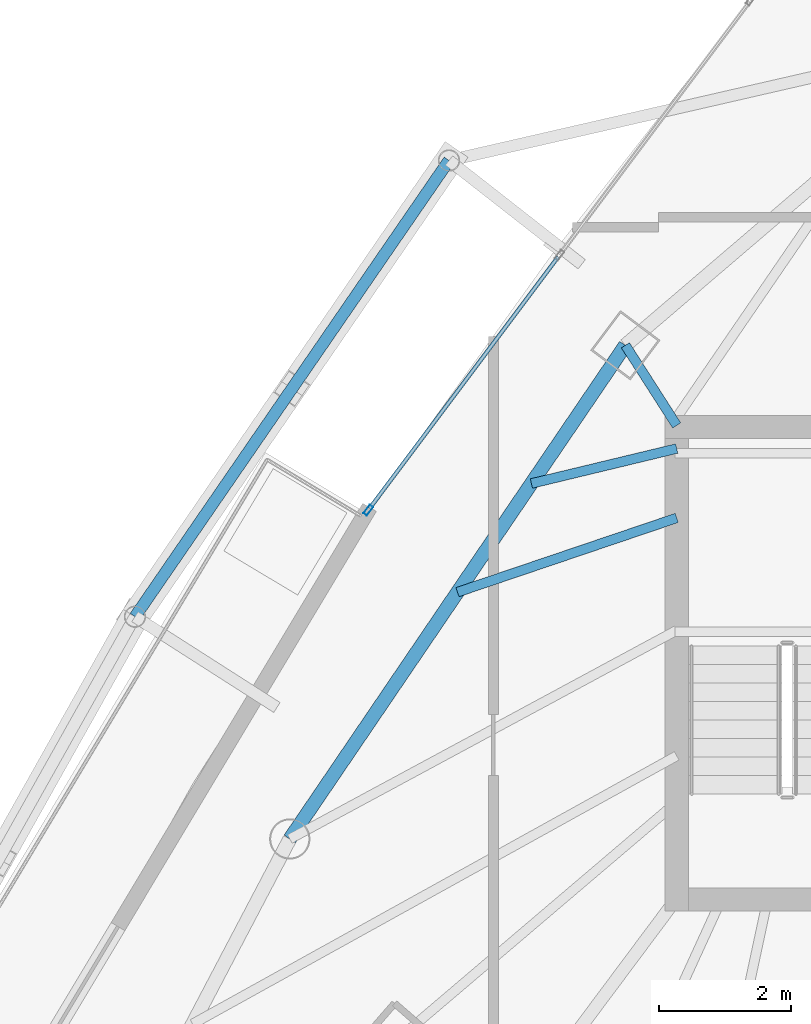
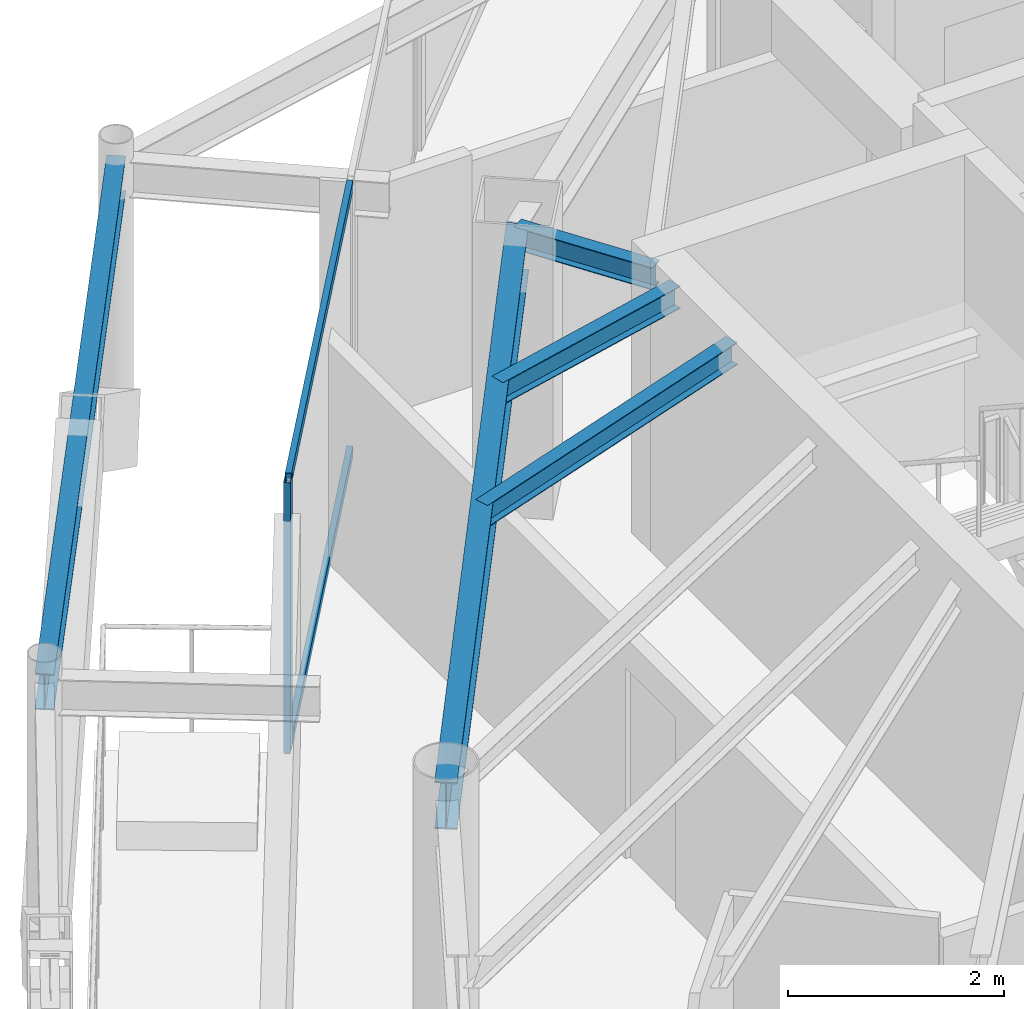
# One storey, part 12 of 30: 5 beams, 3 members, 1 element without a shape of its own.
"""IFC4 building model written with IfcOpenShell, lengths in metres."""

from ifc_helpers import new_model, si_unit, direction, frame, origin, origin_2d, place, context, subcontext, project, spatial, hollow_rectangle, i_section, extrude, material, layer, layer_set, material_profile, profile_set, type_object, element, aggregate, save


model = new_model("IFC4")

# Units and contexts
model_context = context("Model", 3, precision=1e-05, world=origin(), true_north=direction((0.0, 1.0)))
body_context = subcontext(model_context, "Body", "Model", "MODEL_VIEW")
ifc_project = project(units=[si_unit("LENGTHUNIT", "METRE"), si_unit("AREAUNIT", "SQUARE_METRE"), si_unit("VOLUMEUNIT", "CUBIC_METRE"), si_unit("PLANEANGLEUNIT", "RADIAN"), si_unit("MASSUNIT", "GRAM", prefix="KILO")], contexts=[model_context])

# Site, building, storey
site_placement = place(None, origin())
site = spatial("IfcSite", under=ifc_project, at=site_placement, CompositionType="ELEMENT")
building_placement = place(site_placement, origin())
building = spatial("IfcBuilding", under=site, at=building_placement, Name="Orvanel Arch Residences", CompositionType="ELEMENT")
storey_placement = place(building_placement, frame((0.0, 0.0, 240.35009765625)))
storey = spatial("IfcBuildingStorey", under=building, at=storey_placement, Name="L68", CompositionType="ELEMENT", Elevation=240.35009765625)

# Beams
ifc_material_1 = material(Name="Structural steel AS/NZS 3679.1 Grade 300 (300 MPa)", Category="steel")
ifc_material_profile_1 = material_profile(ifc_material_1, i_section(OverallWidth=0.14599609375, OverallDepth=0.251953125, WebThickness=0.006103515625, FlangeThickness=0.008544921875, at=origin_2d()), Name="250UB31.4")
ifc_profile_set_1 = profile_set([ifc_material_profile_1], Name="Structural steel AS/NZS 3679.1 Grade 300 (300 MPa)")
beam_type_1 = type_object("IfcBeamType", Name="BJ-250UB", PredefinedType="JOIST", material=ifc_profile_set_1)
beam_1_placement = place(storey_placement, frame((26.425048828125, 33.89990234375, 2.933837890625), z_axis=(-0.539395075146, 0.842052820735, 0.0), x_axis=(-0.842052820735, -0.539395075146, 0.0)))
element("IfcBeam", 1, at=beam_1_placement, inside=storey, type_object=beam_type_1, Name="L68 NNW Wing Floor Joist", PredefinedType="JOIST", context=body_context, shape_type="SweptSolid", body=[
    extrude(i_section(OverallWidth=0.14599609375, OverallDepth=0.251953125, WebThickness=0.006103515625, FlangeThickness=0.008544921875, at=origin_2d()), origin(), (0.0, 0.0, 1.0), 1.440673828125),
])
beam_2_placement = place(storey_placement, frame((26.425048828125, 32.5, 2.933837890625), z_axis=(-0.947187956478, -0.320678928373, 0.0), x_axis=(0.320678928373, -0.947187956478, 0.0)))
element("IfcBeam", 2, at=beam_2_placement, inside=storey, type_object=beam_type_1, Name="L68 WNW Wing Floor Joist", PredefinedType="JOIST", context=body_context, shape_type="SweptSolid", body=[
    extrude(i_section(OverallWidth=0.14599609375, OverallDepth=0.251953125, WebThickness=0.006103515625, FlangeThickness=0.008544921875, at=origin_2d()), origin(), (0.0, 0.0, 1.0), 3.502197265625),
])
beam_3_placement = place(storey_placement, frame((26.425048828125, 33.550048828125, 2.933837890625), z_axis=(-0.972256833016, -0.23391590509, 0.0), x_axis=(0.23391590509, -0.972256833016, 0.0)))
element("IfcBeam", 3, at=beam_3_placement, inside=storey, type_object=beam_type_1, Name="L68 JADD3 Wing Floor Joist", PredefinedType="JOIST", context=body_context, shape_type="SweptSolid", body=[
    extrude(i_section(OverallWidth=0.14599609375, OverallDepth=0.251953125, WebThickness=0.006103515625, FlangeThickness=0.008544921875, at=origin_2d()), origin(), (0.0, 0.0, 1.0), 2.26171875),
])

# Curtain wall, member
ifc_material_2 = material(Name="Bronze-anodised aluminium AA6063-T6", Category="aluminium")
ifc_layer = layer(ifc_material_2, 0.175048828125)
ifc_layer_set = layer_set([ifc_layer], Name="Bronze-anodised aluminium AA6063-T6")
curtain_wall_type = type_object("IfcCurtainWallType", Name="CW4-HI-SYS", PredefinedType="NOTDEFINED", material=ifc_layer_set)
curtain_wall_placement = place(storey_placement, origin())
curtain_wall = element("IfcCurtainWall", 4, at=curtain_wall_placement, inside=storey, type_object=curtain_wall_type, Name="L68 CW4-HI-SYS Unitised Curtain Wall", PredefinedType="NOTDEFINED")
ifc_material_profile_2 = material_profile(ifc_material_2, hollow_rectangle(XDim=0.06494140625, YDim=0.159912109375, WallThickness=0.00390625, at=origin_2d()), Name="ALU160x65x4")
ifc_profile_set_2 = profile_set([ifc_material_profile_2], Name="Bronze-anodised aluminium AA6063-T6")
member_type_1 = type_object("IfcMemberType", Name="MUL-160x65", PredefinedType="MULLION", material=ifc_profile_set_2)
member_1_placement = place(storey_placement, frame((21.756591796875, 32.617919921875, 0.0), z_axis=(0.0, 0.0, 1.0), x_axis=(0.800074132032, -0.599901144567, 0.0)))
member_1 = element("IfcMember", 5, at=member_1_placement, type_object=member_type_1, Name="CW-S4 mullion 3", PredefinedType="MULLION", context=body_context, shape_type="SweptSolid", body=[
    extrude(hollow_rectangle(XDim=0.06494140625, YDim=0.159912109375, WallThickness=0.00390625, at=origin_2d()), origin(), (0.0, 0.0, 1.0), 3.059814453125),
])

# Beams
ifc_material_profile_3 = material_profile(ifc_material_1, i_section(OverallWidth=0.177978515625, OverallDepth=0.406005859375, WebThickness=0.0078125, FlangeThickness=0.0126953125, at=origin_2d()), Name="410UB59.7")
ifc_profile_set_3 = profile_set([ifc_material_profile_3], Name="Structural steel AS/NZS 3679.1 Grade 300 (300 MPa)")
beam_type_2 = type_object("IfcBeamType", Name="OB-410UB-EXT", PredefinedType="SPANDREL", material=ifc_profile_set_3)
beam_4_placement = place(storey_placement, frame((22.97900390625, 37.909912109375, 2.85693359375), z_axis=(-0.566992250283, -0.823723125886, 0.0), x_axis=(0.823723125886, -0.566992250283, 0.0)))
element("IfcBeam", 6, at=beam_4_placement, inside=storey, type_object=beam_type_2, Name="L68 Outer Perimeter Floor Ring Beam 01", PredefinedType="SPANDREL", context=body_context, shape_type="SweptSolid", body=[
    extrude(i_section(OverallWidth=0.177978515625, OverallDepth=0.406005859375, WebThickness=0.0078125, FlangeThickness=0.0126953125, at=origin_2d()), origin(), (0.0, 0.0, 1.0), 8.3828125),
])
ifc_material_profile_4 = material_profile(ifc_material_1, i_section(OverallWidth=0.208984375, OverallDepth=0.532958984375, WebThickness=0.01025390625, FlangeThickness=0.015625, at=origin_2d()), Name="530UB92.4")
ifc_profile_set_4 = profile_set([ifc_material_profile_4], Name="Structural steel AS/NZS 3679.1 Grade 300 (300 MPa)")
beam_type_3 = type_object("IfcBeamType", Name="SP-530UB", PredefinedType="SPANDREL", material=ifc_profile_set_4)
beam_5_placement = place(storey_placement, frame((25.64794921875, 35.113037109375, 2.79296875), z_axis=(-0.562154793153, -0.827032035978, 0.0), x_axis=(0.827032035978, -0.562154793153, 0.0)))
element("IfcBeam", 7, at=beam_5_placement, inside=storey, type_object=beam_type_3, Name="L68 Perimeter Spandrel Beam 11", PredefinedType="SPANDREL", context=body_context, shape_type="SweptSolid", body=[
    extrude(i_section(OverallWidth=0.208984375, OverallDepth=0.532958984375, WebThickness=0.01025390625, FlangeThickness=0.015625, at=origin_2d()), origin(), (0.0, 0.0, 1.0), 9.03466796875),
])

# Member
ifc_material_profile_5 = material_profile(ifc_material_2, hollow_rectangle(XDim=0.06005859375, YDim=0.1201171875, WallThickness=0.00341796875, at=origin_2d()), Name="ALU120x60x3.5")
ifc_profile_set_5 = profile_set([ifc_material_profile_5], Name="Bronze-anodised aluminium AA6063-T6")
member_type_2 = type_object("IfcMemberType", Name="TRN-120x60", PredefinedType="USERDEFINED", material=ifc_profile_set_5)
member_2_placement = place(storey_placement, frame((24.630615234375, 36.450927734375, 0.02978515625), z_axis=(-0.599942533675, -0.800043096519, 0.0), x_axis=(0.800043096519, -0.599942533675, 0.0)))
member_2 = element("IfcMember", 8, at=member_2_placement, type_object=member_type_2, Name="CW-S4 transom 2.1", ObjectType="TRANSOM", PredefinedType="USERDEFINED", context=body_context, shape_type="SweptSolid", body=[
    extrude(hollow_rectangle(XDim=0.06005859375, YDim=0.1201171875, WallThickness=0.00341796875, at=origin_2d()), origin(), (0.0, 0.0, 1.0), 4.75830078125),
])

member_3_placement = place(storey_placement, frame((24.630615234375, 36.450927734375, 3.02978515625), z_axis=(-0.599942533675, -0.800043096519, 0.0), x_axis=(0.800043096519, -0.599942533675, 0.0)))
member_3 = element("IfcMember", 9, at=member_3_placement, type_object=member_type_2, Name="CW-S4 transom 2.2", ObjectType="TRANSOM", PredefinedType="USERDEFINED", context=body_context, shape_type="SweptSolid", body=[
    extrude(hollow_rectangle(XDim=0.06005859375, YDim=0.1201171875, WallThickness=0.00341796875, at=origin_2d()), origin(), (0.0, 0.0, 1.0), 4.75830078125),
])

aggregate(curtain_wall, [member_1, member_2, member_3])

save(model, "model.ifc")
